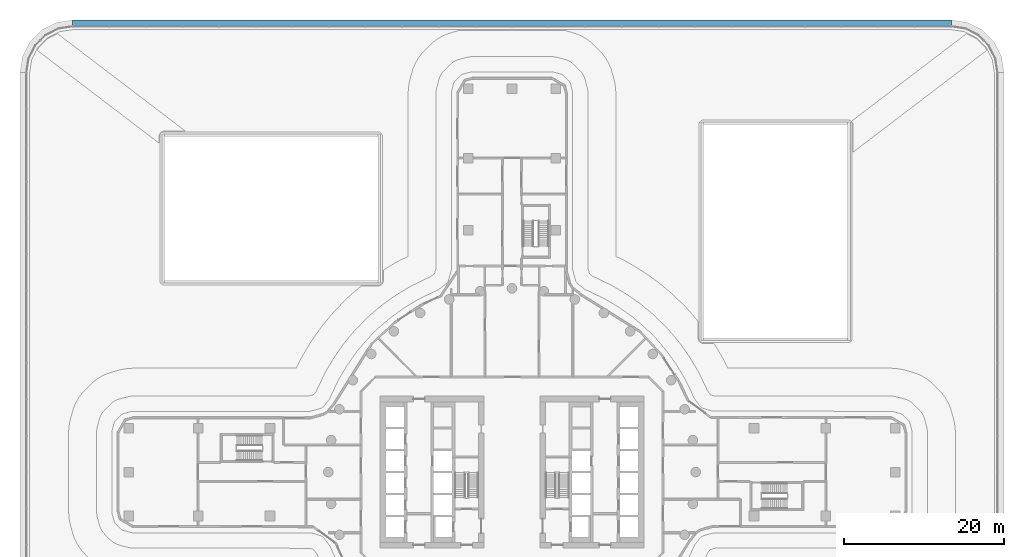
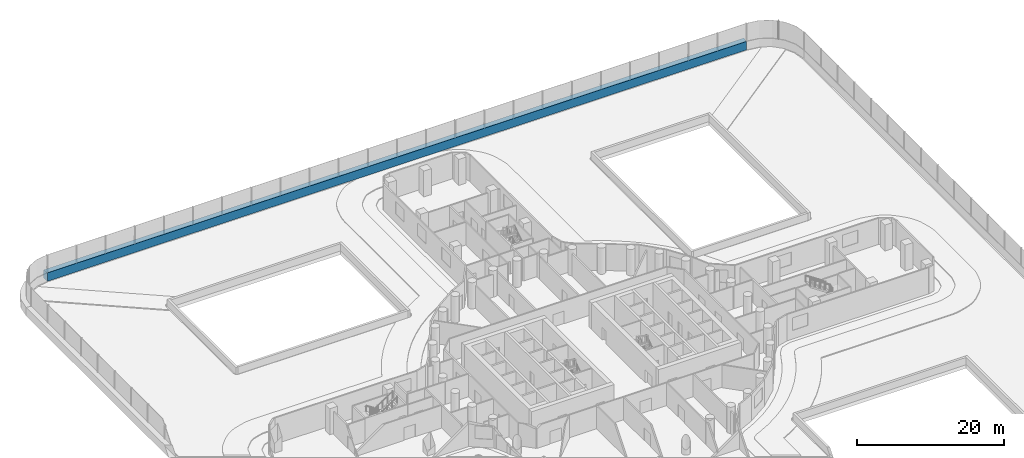
# One storey, part 16 of 37: 1 member, 1 element without a shape of its own.
"""IFC4 building model written with IfcOpenShell, lengths in metres."""

from ifc_helpers import new_model, si_unit, direction, frame, origin, place, context, subcontext, project, spatial, polyline, outline, extrude, material, layer, layer_set, type_object, element, aggregate, save


model = new_model("IFC4")

# Units and contexts
model_context = context("Model", 3, precision=1e-05, world=origin(), true_north=direction((0.0, 1.0)))
body_context = subcontext(model_context, "Body", "Model", "MODEL_VIEW")
ifc_project = project(units=[si_unit("LENGTHUNIT", "METRE"), si_unit("AREAUNIT", "SQUARE_METRE"), si_unit("VOLUMEUNIT", "CUBIC_METRE"), si_unit("PLANEANGLEUNIT", "RADIAN"), si_unit("MASSUNIT", "GRAM", prefix="KILO")], contexts=[model_context])

# Site, building, storey
site_placement = place(None, origin())
site = spatial("IfcSite", under=ifc_project, at=site_placement, CompositionType="ELEMENT")
building_placement = place(site_placement, origin())
building = spatial("IfcBuilding", under=site, at=building_placement, Name="Tamarind Cross Interchange Tower", CompositionType="ELEMENT")
storey_placement = place(building_placement, frame((0.0, 0.0, 29.5)))
storey = spatial("IfcBuildingStorey", under=building, at=storey_placement, Name="L05", CompositionType="ELEMENT", Elevation=29.5)

# Curtain wall, member
ifc_material_1 = material(Name="Aluminium 6063-T6", Category="aluminium")
ifc_layer = layer(ifc_material_1, 0.179931640625)
ifc_layer_set = layer_set([ifc_layer], Name="Aluminium 6063-T6")
curtain_wall_type = type_object("IfcCurtainWallType", Name="Sky lobby curtain wall, fire-resisting glazing", PredefinedType="NOTDEFINED", material=ifc_layer_set)
curtain_wall_placement = place(storey_placement, origin())
curtain_wall = element("IfcCurtainWall", 1, at=curtain_wall_placement, inside=storey, type_object=curtain_wall_type, Name="CWS-L05-02", PredefinedType="NOTDEFINED")
ifc_material_2 = material(Name="Aluminium and insulated spandrel panel", Category="aluminium")
member_type = type_object("IfcMemberType", Name="Floor-edge blade transom", PredefinedType="USERDEFINED", material=ifc_material_2)
member_placement = place(storey_placement, origin())
member = element("IfcMember", 2, at=member_placement, type_object=member_type, Name="CWT-L05-02", ObjectType="TRANSOM", PredefinedType="USERDEFINED", context=body_context, shape_type="SweptSolid", body=[
    extrude(outline(polyline([(54.976318359375, 55.699951171875), (-54.976318359375, 55.699951171875), (-55.047119140625, 56.60009765625), (55.047119140625, 56.60009765625), (54.976318359375, 55.699951171875)])), origin(), (0.0, 0.0, 1.0), 1.39990234375),
])
aggregate(curtain_wall, [member])

save(model, "model.ifc")
